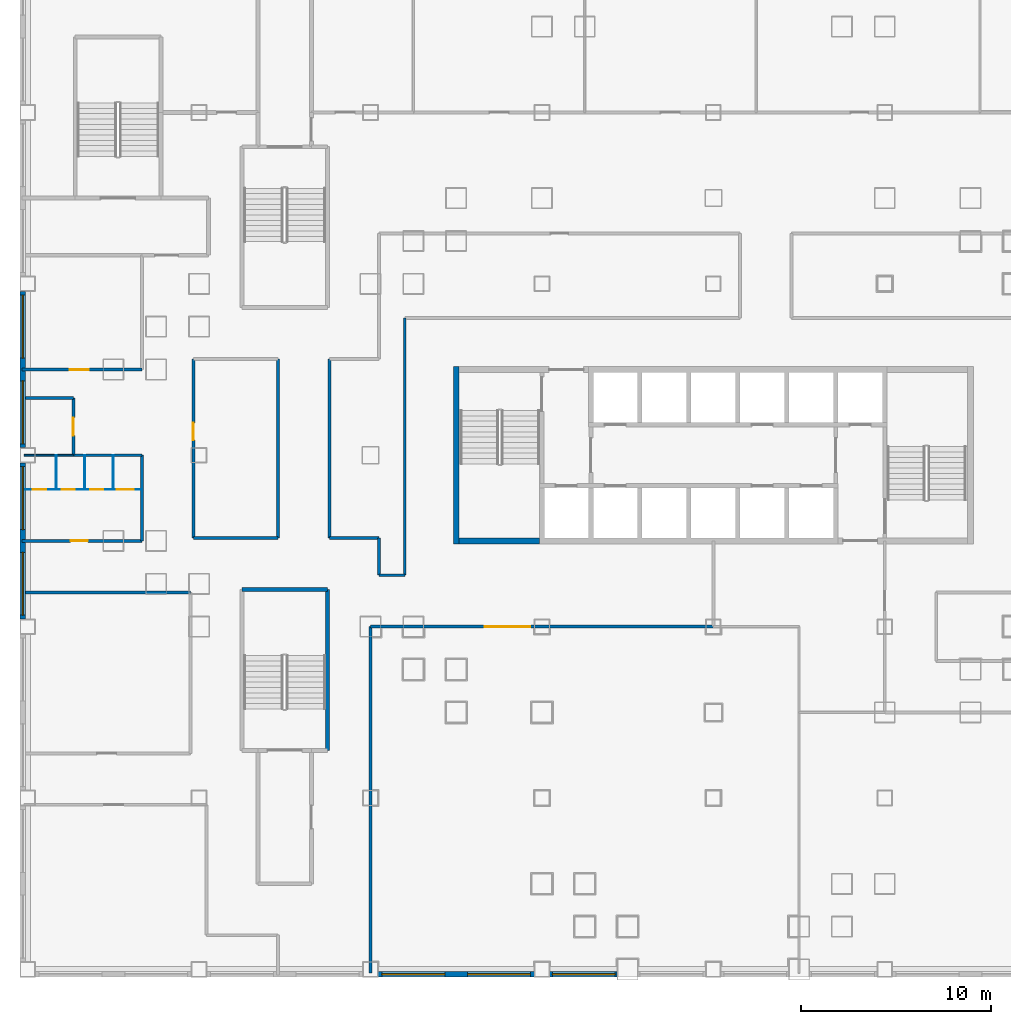
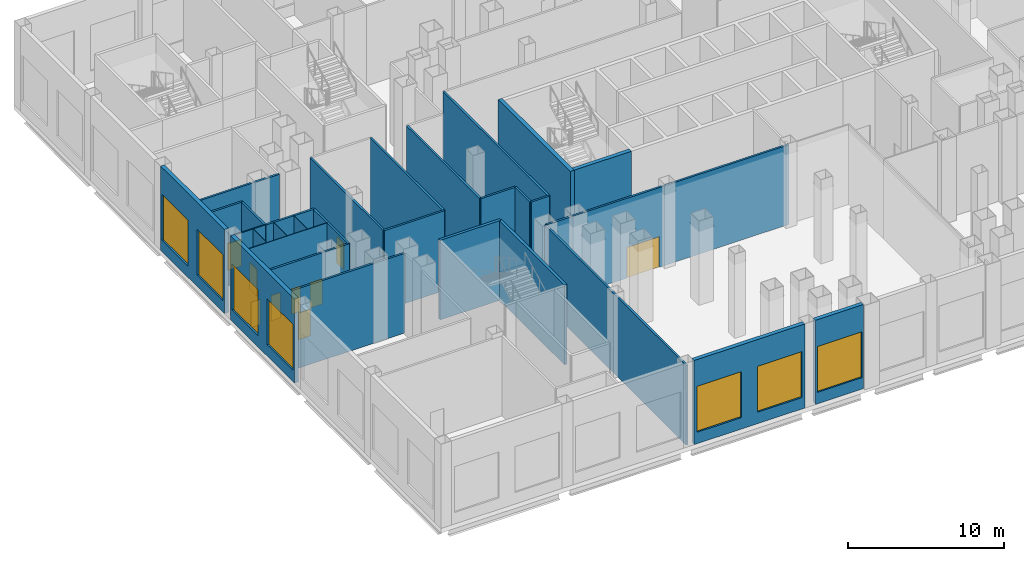
# One storey, part 3 of 26: 30 walls, 9 doors, 7 windows, 16 openings.
"""IFC4 building model written with IfcOpenShell, lengths in metres."""

from ifc_helpers import new_model, si_unit, direction, frame, frame_2d, origin, place, context, subcontext, project, spatial, rectangle, extrude, material, layer, layer_set, type_object, element, fill, save


model = new_model("IFC4")

# Units and contexts
model_context = context("Model", 3, precision=1e-05, world=origin(), true_north=direction((0.0, 1.0)))
body_context = subcontext(model_context, "Body", "Model", "MODEL_VIEW")
ifc_project = project(units=[si_unit("LENGTHUNIT", "METRE"), si_unit("AREAUNIT", "SQUARE_METRE"), si_unit("VOLUMEUNIT", "CUBIC_METRE"), si_unit("PLANEANGLEUNIT", "RADIAN"), si_unit("MASSUNIT", "GRAM", prefix="KILO")], contexts=[model_context])

# Site, building, storey
site_placement = place(None, origin())
site = spatial("IfcSite", under=ifc_project, at=site_placement, CompositionType="ELEMENT")
building_placement = place(site_placement, origin())
building = spatial("IfcBuilding", under=site, at=building_placement, Name="Caravel Reach Hotel and Residences", CompositionType="ELEMENT")
storey_placement = place(building_placement, frame((0.0, 0.0, 17.39990234375)))
storey = spatial("IfcBuildingStorey", under=building, at=storey_placement, Name="L03", CompositionType="ELEMENT", Elevation=17.39990234375)

# Walls
ifc_material_1 = material(Name="Concrete C60", Category="concrete")
ifc_layer_1 = layer(ifc_material_1, 0.300048828125)
ifc_layer_set_1 = layer_set([ifc_layer_1], Name="Core wall 300 mm EI 120")
wall_type_1 = type_object("IfcWallType", Name="Core wall 300 mm EI 120", PredefinedType="SHEAR", material=ifc_layer_set_1)
wall_1_placement = place(storey_placement, frame((18.14990234375, 22.5, 0.0), z_axis=(0.0, 0.0, 1.0), x_axis=(1.0, 0.0, 0.0)))
element("IfcWall", 1, at=wall_1_placement, inside=storey, type_object=wall_type_1, Name="L03 core wall S1", PredefinedType="SHEAR", context=body_context, shape_type="SweptSolid", body=[
    extrude(rectangle(XDim=4.22509765625, YDim=0.300048828125, at=frame_2d((2.112548828125, 0.0))), origin(), (0.0, 0.0, 1.0), 6.25),
])
wall_2_placement = place(storey_placement, frame((18.0, 22.35009765625, 0.0), z_axis=(0.0, 0.0, 1.0), x_axis=(0.0, 1.0, 0.0)))
element("IfcWall", 2, at=wall_2_placement, inside=storey, type_object=wall_type_1, Name="L03 core wall W", PredefinedType="SHEAR", context=body_context, shape_type="SweptSolid", body=[
    extrude(rectangle(XDim=9.2998046875, YDim=0.300048828125, at=frame_2d((4.64990234375, 0.0))), origin(), (0.0, 0.0, 1.0), 6.25),
])

# Wall, opening, door
ifc_material_2 = material(Name="Gypsum board on steel stud, fire-rated", Category="steel")
ifc_layer_2 = layer(ifc_material_2, 0.14990234375)
ifc_layer_set_2 = layer_set([ifc_layer_2], Name="Corridor wall 150 mm EI 60")
wall_type_2 = type_object("IfcWallType", Name="Corridor wall 150 mm EI 60", PredefinedType="PARTITIONING", material=ifc_layer_set_2)
wall_3_placement = place(storey_placement, frame((13.5, 18.0, 0.0), z_axis=(0.0, 0.0, 1.0), x_axis=(1.0, 0.0, 0.0)))
wall_3 = element("IfcWall", 3, at=wall_3_placement, inside=storey, type_object=wall_type_2, Name="L03 wall w005", PredefinedType="PARTITIONING", context=body_context, shape_type="SweptSolid", body=[
    extrude(rectangle(XDim=18.0, YDim=0.14990234375, at=frame_2d((9.0, 0.0))), origin(), (0.0, 0.0, 1.0), 6.25),
])
opening_1_placement = place(wall_3_placement, frame((6.0, 0.0, 0.0)))
opening_1 = element("IfcOpeningElement", 4, at=opening_1_placement, cuts=wall_3, Name="Opening D03-028", PredefinedType="OPENING", context=body_context, shape_type="SweptSolid", body=[
    extrude(rectangle(XDim=2.39990234375, YDim=2.39990234375, at=frame_2d((1.199951171875, 1.199951171875))), frame((0.0, 0.0849609375, 0.0), z_axis=(0.0, -1.0, 0.0), x_axis=(1.0, 0.0, 0.0)), (0.0, 0.0, 1.0), 0.169921875),
])
ifc_material_3 = material(Name="Steel fire door leaf", Category="steel")
door_type_1 = type_object("IfcDoorType", Name="Ballroom door pair 2400 x 2400 EI 60", OperationType="DOUBLE_DOOR_SINGLE_SWING", PredefinedType="DOOR", material=ifc_material_3)
door_1_placement = place(opening_1_placement, origin())
door_1 = element("IfcDoor", 5, at=door_1_placement, inside=storey, type_object=door_type_1, Name="door D03-028", OperationType="DOUBLE_DOOR_SINGLE_SWING", OverallHeight=2.39990234375, OverallWidth=2.39990234375, PredefinedType="DOOR", context=body_context, shape_type="SweptSolid", body=[
    extrude(rectangle(XDim=2.39990234375, YDim=2.39990234375, at=frame_2d((1.199951171875, 1.199951171875))), frame((0.0, 0.02490234375, 0.0), z_axis=(0.0, -1.0, 0.0), x_axis=(1.0, 0.0, 0.0)), (0.0, 0.0, 1.0), 0.050048828125),
])
fill(opening_1, door_1)

# Walls
wall_4_placement = place(storey_placement, frame((-4.6201171875, 19.800048828125, 0.0), z_axis=(0.0, 0.0, 1.0), x_axis=(1.0, 0.0, 0.0)))
element("IfcWall", 6, at=wall_4_placement, inside=storey, type_object=wall_type_2, Name="L03 wall w007", PredefinedType="PARTITIONING", context=body_context, shape_type="SweptSolid", body=[
    extrude(rectangle(XDim=8.670166015625, YDim=0.14990234375, at=frame_2d((4.3349609375, 0.0))), origin(), (0.0, 0.0, 1.0), 6.25),
])
wall_5_placement = place(storey_placement, frame((13.949951171875, 20.699951171875, 0.0), z_axis=(0.0, 0.0, 1.0), x_axis=(1.0, 0.0, 0.0)))
element("IfcWall", 7, at=wall_5_placement, inside=storey, type_object=wall_type_2, Name="L03 wall w009", PredefinedType="PARTITIONING", context=body_context, shape_type="SweptSolid", body=[
    extrude(rectangle(XDim=1.35009765625, YDim=0.14990234375, at=frame_2d((0.675048828125, 0.0))), origin(), (0.0, 0.0, 1.0), 6.25),
])

# Wall, opening, door
wall_6_placement = place(storey_placement, frame((-4.7900390625, 22.5, 0.0), z_axis=(0.0, 0.0, 1.0), x_axis=(1.0, 0.0, 0.0)))
wall_6 = element("IfcWall", 8, at=wall_6_placement, inside=storey, type_object=wall_type_2, Name="L03 wall w011", PredefinedType="PARTITIONING", context=body_context, shape_type="SweptSolid", body=[
    extrude(rectangle(XDim=6.2900390625, YDim=0.14990234375, at=frame_2d((3.14501953125, 0.0))), origin(), (0.0, 0.0, 1.0), 6.25),
])
opening_2_placement = place(wall_6_placement, frame((2.550048828125, 0.0, 0.0)))
opening_2 = element("IfcOpeningElement", 9, at=opening_2_placement, cuts=wall_6, Name="Opening D03-040", PredefinedType="OPENING", context=body_context, shape_type="SweptSolid", body=[
    extrude(rectangle(XDim=0.89990234375, YDim=2.10009765625, at=frame_2d((0.449951171875, 1.050048828125))), frame((0.0, 0.0849609375, 0.0), z_axis=(0.0, -1.0, 0.0), x_axis=(1.0, 0.0, 0.0)), (0.0, 0.0, 1.0), 0.169921875),
])
ifc_material_4 = material(Name="Timber and steel door leaf", Category="steel")
door_type_2 = type_object("IfcDoorType", Name="Door 900 x 2100 timber", OperationType="SINGLE_SWING_LEFT", PredefinedType="DOOR", material=ifc_material_4)
door_2_placement = place(opening_2_placement, origin())
door_2 = element("IfcDoor", 10, at=door_2_placement, inside=storey, type_object=door_type_2, Name="door D03-040", OperationType="SINGLE_SWING_RIGHT", OverallHeight=2.10009765625, OverallWidth=0.89990234375, PredefinedType="DOOR", context=body_context, shape_type="SweptSolid", body=[
    extrude(rectangle(XDim=0.89990234375, YDim=2.10009765625, at=frame_2d((0.449951171875, 1.050048828125))), frame((0.0, 0.02490234375, 0.0), z_axis=(0.0, -1.0, 0.0), x_axis=(1.0, 0.0, 0.0)), (0.0, 0.0, 1.0), 0.050048828125),
])
fill(opening_2, door_2)

# Walls
wall_7_placement = place(storey_placement, frame((11.35009765625, 22.64990234375, 0.0), z_axis=(0.0, 0.0, 1.0), x_axis=(1.0, 0.0, 0.0)))
element("IfcWall", 11, at=wall_7_placement, inside=storey, type_object=wall_type_2, Name="L03 wall w013", PredefinedType="PARTITIONING", context=body_context, shape_type="SweptSolid", body=[
    extrude(rectangle(XDim=2.599853515625, YDim=0.14990234375, at=frame_2d((1.2998046875, 0.0))), origin(), (0.0, 0.0, 1.0), 6.25),
])
wall_8_placement = place(storey_placement, frame((4.199951171875, 22.64990234375, 0.0), z_axis=(0.0, 0.0, 1.0), x_axis=(1.0, 0.0, 0.0)))
element("IfcWall", 12, at=wall_8_placement, inside=storey, type_object=wall_type_2, Name="L03 wall w014", PredefinedType="PARTITIONING", context=body_context, shape_type="SweptSolid", body=[
    extrude(rectangle(XDim=4.449951171875, YDim=0.14990234375, at=frame_2d((2.22509765625, 0.0))), origin(), (0.0, 0.0, 1.0), 6.25),
])
wall_9_placement = place(storey_placement, frame((-2.10009765625, 27.0, 0.0), z_axis=(0.0, 0.0, 1.0), x_axis=(1.0, 0.0, 0.0)))
element("IfcWall", 13, at=wall_9_placement, inside=storey, type_object=wall_type_2, Name="L03 wall w015", PredefinedType="PARTITIONING", context=body_context, shape_type="SweptSolid", body=[
    extrude(rectangle(XDim=3.60009765625, YDim=0.14990234375, at=frame_2d((1.800048828125, 0.0))), origin(), (0.0, 0.0, 1.0), 6.25),
])
wall_10_placement = place(storey_placement, frame((-4.6201171875, 30.0, 0.0), z_axis=(0.0, 0.0, 1.0), x_axis=(1.0, 0.0, 0.0)))
element("IfcWall", 14, at=wall_10_placement, inside=storey, type_object=wall_type_2, Name="L03 wall w016", PredefinedType="PARTITIONING", context=body_context, shape_type="SweptSolid", body=[
    extrude(rectangle(XDim=2.52001953125, YDim=0.14990234375, at=frame_2d((1.260009765625, 0.0))), origin(), (0.0, 0.0, 1.0), 6.25),
])

# Wall, opening, door
wall_11_placement = place(storey_placement, frame((-4.7900390625, 31.5, 0.0), z_axis=(0.0, 0.0, 1.0), x_axis=(1.0, 0.0, 0.0)))
wall_11 = element("IfcWall", 15, at=wall_11_placement, inside=storey, type_object=wall_type_2, Name="L03 wall w017", PredefinedType="PARTITIONING", context=body_context, shape_type="SweptSolid", body=[
    extrude(rectangle(XDim=6.2900390625, YDim=0.14990234375, at=frame_2d((3.14501953125, 0.0))), origin(), (0.0, 0.0, 1.0), 6.25),
])
opening_3_placement = place(wall_11_placement, frame((2.5, 0.0, 0.0)))
opening_3 = element("IfcOpeningElement", 16, at=opening_3_placement, cuts=wall_11, Name="Opening D03-042", PredefinedType="OPENING", context=body_context, shape_type="SweptSolid", body=[
    extrude(rectangle(XDim=1.0, YDim=2.10009765625, at=frame_2d((0.5, 1.050048828125))), frame((0.0, 0.0849609375, 0.0), z_axis=(0.0, -1.0, 0.0), x_axis=(1.0, 0.0, 0.0)), (0.0, 0.0, 1.0), 0.169921875),
])
ifc_material_5 = material(Name="Steel fire door leaf", Category="steel")
door_type_3 = type_object("IfcDoorType", Name="Fire door 1000 x 2100 EI 60", OperationType="SINGLE_SWING_LEFT", PredefinedType="DOOR", material=ifc_material_5)
door_3_placement = place(opening_3_placement, origin())
door_3 = element("IfcDoor", 17, at=door_3_placement, inside=storey, type_object=door_type_3, Name="door D03-042", OperationType="SINGLE_SWING_LEFT", OverallHeight=2.10009765625, OverallWidth=1.0, PredefinedType="DOOR", context=body_context, shape_type="SweptSolid", body=[
    extrude(rectangle(XDim=1.0, YDim=2.10009765625, at=frame_2d((0.5, 1.050048828125))), frame((0.0, 0.02490234375, 0.0), z_axis=(0.0, -1.0, 0.0), x_axis=(1.0, 0.0, 0.0)), (0.0, 0.0, 1.0), 0.050048828125),
])
fill(opening_3, door_3)

wall_12_placement = place(storey_placement, frame((-2.10009765625, 27.0, 0.0), z_axis=(0.0, 0.0, 1.0), x_axis=(0.0, 1.0, 0.0)))
wall_12 = element("IfcWall", 18, at=wall_12_placement, inside=storey, type_object=wall_type_2, Name="L03 wall w031", PredefinedType="PARTITIONING", context=body_context, shape_type="SweptSolid", body=[
    extrude(rectangle(XDim=3.0, YDim=0.14990234375, at=frame_2d((1.5, 0.0))), origin(), (0.0, 0.0, 1.0), 6.25),
])
opening_4_placement = place(wall_12_placement, frame((1.02490234375, 0.0, 0.0)))
opening_4 = element("IfcOpeningElement", 19, at=opening_4_placement, cuts=wall_12, Name="Opening D03-041", PredefinedType="OPENING", context=body_context, shape_type="SweptSolid", body=[
    extrude(rectangle(XDim=0.949951171875, YDim=2.10009765625, at=frame_2d((0.47509765625, 1.050048828125))), frame((0.0, 0.0849609375, 0.0), z_axis=(0.0, -1.0, 0.0), x_axis=(1.0, 0.0, 0.0)), (0.0, 0.0, 1.0), 0.169921875),
])
ifc_material_6 = material(Name="Timber and steel door leaf", Category="steel")
door_type_4 = type_object("IfcDoorType", Name="Accessible WC door 950 x 2100", OperationType="SINGLE_SWING_LEFT", PredefinedType="DOOR", material=ifc_material_6)
door_4_placement = place(opening_4_placement, origin())
door_4 = element("IfcDoor", 20, at=door_4_placement, inside=storey, type_object=door_type_4, Name="door D03-041", OperationType="SINGLE_SWING_LEFT", OverallHeight=2.10009765625, OverallWidth=0.949951171875, PredefinedType="DOOR", context=body_context, shape_type="SweptSolid", body=[
    extrude(rectangle(XDim=0.949951171875, YDim=2.10009765625, at=frame_2d((0.47509765625, 1.050048828125))), frame((0.0, 0.02490234375, 0.0), z_axis=(0.0, -1.0, 0.0), x_axis=(1.0, 0.0, 0.0)), (0.0, 0.0, 1.0), 0.050048828125),
])
fill(opening_4, door_4)

# Walls
wall_13_placement = place(storey_placement, frame((1.5, 22.5, 0.0), z_axis=(0.0, 0.0, 1.0), x_axis=(0.0, 1.0, 0.0)))
element("IfcWall", 21, at=wall_13_placement, inside=storey, type_object=wall_type_2, Name="L03 wall w032", PredefinedType="PARTITIONING", context=body_context, shape_type="SweptSolid", body=[
    extrude(rectangle(XDim=4.5, YDim=0.14990234375, at=frame_2d((2.25, 0.0))), origin(), (0.0, 0.0, 1.0), 6.25),
])
wall_14_placement = place(storey_placement, frame((11.35009765625, 22.64990234375, 0.0), z_axis=(0.0, 0.0, 1.0), x_axis=(0.0, 1.0, 0.0)))
element("IfcWall", 22, at=wall_14_placement, inside=storey, type_object=wall_type_2, Name="L03 wall w034", PredefinedType="PARTITIONING", context=body_context, shape_type="SweptSolid", body=[
    extrude(rectangle(XDim=9.400146484375, YDim=0.14990234375, at=frame_2d((4.7001953125, 0.0))), origin(), (0.0, 0.0, 1.0), 6.25),
])
wall_15_placement = place(storey_placement, frame((13.5, -0.18994140625, 0.0), z_axis=(0.0, 0.0, 1.0), x_axis=(0.0, 1.0, 0.0)))
element("IfcWall", 23, at=wall_15_placement, inside=storey, type_object=wall_type_2, Name="L03 wall w035", PredefinedType="PARTITIONING", context=body_context, shape_type="SweptSolid", body=[
    extrude(rectangle(XDim=18.18994140625, YDim=0.14990234375, at=frame_2d((9.094970703125, 0.0))), origin(), (0.0, 0.0, 1.0), 6.25),
])
wall_16_placement = place(storey_placement, frame((13.949951171875, 20.699951171875, 0.0), z_axis=(0.0, 0.0, 1.0), x_axis=(0.0, 1.0, 0.0)))
element("IfcWall", 24, at=wall_16_placement, inside=storey, type_object=wall_type_2, Name="L03 wall w036", PredefinedType="PARTITIONING", context=body_context, shape_type="SweptSolid", body=[
    extrude(rectangle(XDim=1.949951171875, YDim=0.14990234375, at=frame_2d((0.97509765625, 0.0))), origin(), (0.0, 0.0, 1.0), 6.25),
])
wall_17_placement = place(storey_placement, frame((15.300048828125, 20.699951171875, 0.0), z_axis=(0.0, 0.0, 1.0), x_axis=(0.0, 1.0, 0.0)))
element("IfcWall", 25, at=wall_17_placement, inside=storey, type_object=wall_type_2, Name="L03 wall w038", PredefinedType="PARTITIONING", context=body_context, shape_type="SweptSolid", body=[
    extrude(rectangle(XDim=13.5, YDim=0.14990234375, at=frame_2d((6.75, 0.0))), origin(), (0.0, 0.0, 1.0), 6.25),
])

# Wall, opening, door
wall_18_placement = place(storey_placement, frame((4.199951171875, 22.64990234375, 0.0), z_axis=(0.0, 0.0, 1.0), x_axis=(0.0, 1.0, 0.0)))
wall_18 = element("IfcWall", 26, at=wall_18_placement, inside=storey, type_object=wall_type_2, Name="L03 wall w043", PredefinedType="PARTITIONING", context=body_context, shape_type="SweptSolid", body=[
    extrude(rectangle(XDim=9.400146484375, YDim=0.14990234375, at=frame_2d((4.7001953125, 0.0))), origin(), (0.0, 0.0, 1.0), 6.25),
])
opening_5_placement = place(wall_18_placement, frame((5.14990234375, 0.0, 0.0)))
opening_5 = element("IfcOpeningElement", 27, at=opening_5_placement, cuts=wall_18, Name="Opening D03-049", PredefinedType="OPENING", context=body_context, shape_type="SweptSolid", body=[
    extrude(rectangle(XDim=0.89990234375, YDim=2.10009765625, at=frame_2d((0.449951171875, 1.050048828125))), frame((0.0, 0.0849609375, 0.0), z_axis=(0.0, -1.0, 0.0), x_axis=(1.0, 0.0, 0.0)), (0.0, 0.0, 1.0), 0.169921875),
])
door_5_placement = place(opening_5_placement, origin())
door_5 = element("IfcDoor", 28, at=door_5_placement, inside=storey, type_object=door_type_2, Name="door D03-049", OperationType="SINGLE_SWING_RIGHT", OverallHeight=2.10009765625, OverallWidth=0.89990234375, PredefinedType="DOOR", context=body_context, shape_type="SweptSolid", body=[
    extrude(rectangle(XDim=0.89990234375, YDim=2.10009765625, at=frame_2d((0.449951171875, 1.050048828125))), frame((0.0, 0.02490234375, 0.0), z_axis=(0.0, -1.0, 0.0), x_axis=(1.0, 0.0, 0.0)), (0.0, 0.0, 1.0), 0.050048828125),
])
fill(opening_5, door_5)

# Wall
wall_19_placement = place(storey_placement, frame((8.64990234375, 22.64990234375, 0.0), z_axis=(0.0, 0.0, 1.0), x_axis=(0.0, 1.0, 0.0)))
element("IfcWall", 29, at=wall_19_placement, inside=storey, type_object=wall_type_2, Name="L03 wall w058", PredefinedType="PARTITIONING", context=body_context, shape_type="SweptSolid", body=[
    extrude(rectangle(XDim=9.400146484375, YDim=0.14990234375, at=frame_2d((4.7001953125, 0.0))), origin(), (0.0, 0.0, 1.0), 6.25),
])

# Wall, openings, windows
ifc_material_7 = material(Name="Insulated wall, stone cladding", Category="masonry")
ifc_layer_3 = layer(ifc_material_7, 0.300048828125)
ifc_layer_set_3 = layer_set([ifc_layer_3], Name="EW2 Podium stone-clad wall")
wall_type_3 = type_object("IfcWallType", Name="EW2 Podium stone-clad wall", PredefinedType="SOLIDWALL", material=ifc_layer_set_3)
wall_20_placement = place(storey_placement, frame((-4.75, 35.60009765625, 0.0), z_axis=(0.0, 0.0, 1.0), x_axis=(0.0, -1.0, 0.0)))
wall_20 = element("IfcWall", 30, at=wall_20_placement, inside=storey, type_object=wall_type_3, Name="External wall L03 W3.3", PredefinedType="SOLIDWALL", context=body_context, shape_type="SweptSolid", body=[
    extrude(rectangle(XDim=8.2001953125, YDim=0.300048828125, at=frame_2d((4.10009765625, 0.0))), origin(), (0.0, 0.0, 1.0), 6.60009765625),
])
opening_6_placement = place(wall_20_placement, frame((0.199951171875, 0.0, 0.89990234375)))
opening_6 = element("IfcOpeningElement", 31, at=opening_6_placement, cuts=wall_20, Name="Opening WN31", PredefinedType="OPENING", context=body_context, shape_type="SweptSolid", body=[
    extrude(rectangle(XDim=3.300048828125, YDim=3.60009765625, at=frame_2d((1.64990234375, 1.800048828125))), frame((0.0, 0.159912109375, 0.0), z_axis=(0.0, -1.0, 0.0), x_axis=(1.0, 0.0, 0.0)), (0.0, 0.0, 1.0), 0.320068359375),
])
opening_7_placement = place(wall_20_placement, frame((4.699951171875, 0.0, 0.89990234375)))
opening_7 = element("IfcOpeningElement", 32, at=opening_7_placement, cuts=wall_20, Name="Opening WN31", PredefinedType="OPENING", context=body_context, shape_type="SweptSolid", body=[
    extrude(rectangle(XDim=3.300048828125, YDim=3.60009765625, at=frame_2d((1.64990234375, 1.800048828125))), frame((0.0, 0.159912109375, 0.0), z_axis=(0.0, -1.0, 0.0), x_axis=(1.0, 0.0, 0.0)), (0.0, 0.0, 1.0), 0.320068359375),
])
ifc_material_8 = material(Name="Dark low-e glazing in black aluminium frame", Category="aluminium")
window_type = type_object("IfcWindowType", Name="Podium window 3300 x 3600", PartitioningType="SINGLE_PANEL", PredefinedType="WINDOW", material=ifc_material_8)
window_1_placement = place(opening_6_placement, origin())
window_1 = element("IfcWindow", 33, at=window_1_placement, inside=storey, type_object=window_type, Name="Window L03 W3.3.1", OverallHeight=3.60009765625, OverallWidth=3.300048828125, PartitioningType="SINGLE_PANEL", PredefinedType="WINDOW", context=body_context, shape_type="SweptSolid", body=[
    extrude(rectangle(XDim=3.300048828125, YDim=3.60009765625, at=frame_2d((1.64990234375, 1.800048828125))), frame((0.0, 0.030029296875, 0.0), z_axis=(0.0, -1.0, 0.0), x_axis=(1.0, 0.0, 0.0)), (0.0, 0.0, 1.0), 0.06005859375),
])
fill(opening_6, window_1)
window_2_placement = place(opening_7_placement, origin())
window_2 = element("IfcWindow", 34, at=window_2_placement, inside=storey, type_object=window_type, Name="Window L03 W3.3.2", OverallHeight=3.60009765625, OverallWidth=3.300048828125, PartitioningType="SINGLE_PANEL", PredefinedType="WINDOW", context=body_context, shape_type="SweptSolid", body=[
    extrude(rectangle(XDim=3.300048828125, YDim=3.60009765625, at=frame_2d((1.64990234375, 1.800048828125))), frame((0.0, 0.030029296875, 0.0), z_axis=(0.0, -1.0, 0.0), x_axis=(1.0, 0.0, 0.0)), (0.0, 0.0, 1.0), 0.06005859375),
])
fill(opening_7, window_2)

wall_21_placement = place(storey_placement, frame((-4.75, 26.60009765625, 0.0), z_axis=(0.0, 0.0, 1.0), x_axis=(0.0, -1.0, 0.0)))
wall_21 = element("IfcWall", 35, at=wall_21_placement, inside=storey, type_object=wall_type_3, Name="External wall L03 W3.4", PredefinedType="SOLIDWALL", context=body_context, shape_type="SweptSolid", body=[
    extrude(rectangle(XDim=8.2001953125, YDim=0.300048828125, at=frame_2d((4.10009765625, 0.0))), origin(), (0.0, 0.0, 1.0), 6.60009765625),
])
opening_8_placement = place(wall_21_placement, frame((0.199951171875, 0.0, 0.89990234375)))
opening_8 = element("IfcOpeningElement", 36, at=opening_8_placement, cuts=wall_21, Name="Opening WN31", PredefinedType="OPENING", context=body_context, shape_type="SweptSolid", body=[
    extrude(rectangle(XDim=3.300048828125, YDim=3.60009765625, at=frame_2d((1.64990234375, 1.800048828125))), frame((0.0, 0.159912109375, 0.0), z_axis=(0.0, -1.0, 0.0), x_axis=(1.0, 0.0, 0.0)), (0.0, 0.0, 1.0), 0.320068359375),
])
opening_9_placement = place(wall_21_placement, frame((4.699951171875, 0.0, 0.89990234375)))
opening_9 = element("IfcOpeningElement", 37, at=opening_9_placement, cuts=wall_21, Name="Opening WN31", PredefinedType="OPENING", context=body_context, shape_type="SweptSolid", body=[
    extrude(rectangle(XDim=3.300048828125, YDim=3.60009765625, at=frame_2d((1.64990234375, 1.800048828125))), frame((0.0, 0.159912109375, 0.0), z_axis=(0.0, -1.0, 0.0), x_axis=(1.0, 0.0, 0.0)), (0.0, 0.0, 1.0), 0.320068359375),
])
window_3_placement = place(opening_8_placement, origin())
window_3 = element("IfcWindow", 38, at=window_3_placement, inside=storey, type_object=window_type, Name="Window L03 W3.4.1", OverallHeight=3.60009765625, OverallWidth=3.300048828125, PartitioningType="SINGLE_PANEL", PredefinedType="WINDOW", context=body_context, shape_type="SweptSolid", body=[
    extrude(rectangle(XDim=3.300048828125, YDim=3.60009765625, at=frame_2d((1.64990234375, 1.800048828125))), frame((0.0, 0.030029296875, 0.0), z_axis=(0.0, -1.0, 0.0), x_axis=(1.0, 0.0, 0.0)), (0.0, 0.0, 1.0), 0.06005859375),
])
fill(opening_8, window_3)
window_4_placement = place(opening_9_placement, origin())
window_4 = element("IfcWindow", 39, at=window_4_placement, inside=storey, type_object=window_type, Name="Window L03 W3.4.2", OverallHeight=3.60009765625, OverallWidth=3.300048828125, PartitioningType="SINGLE_PANEL", PredefinedType="WINDOW", context=body_context, shape_type="SweptSolid", body=[
    extrude(rectangle(XDim=3.300048828125, YDim=3.60009765625, at=frame_2d((1.64990234375, 1.800048828125))), frame((0.0, 0.030029296875, 0.0), z_axis=(0.0, -1.0, 0.0), x_axis=(1.0, 0.0, 0.0)), (0.0, 0.0, 1.0), 0.06005859375),
])
fill(opening_9, window_4)

wall_22_placement = place(storey_placement, frame((13.89990234375, -0.25, 0.0), z_axis=(0.0, 0.0, 1.0), x_axis=(1.0, 0.0, 0.0)))
wall_22 = element("IfcWall", 40, at=wall_22_placement, inside=storey, type_object=wall_type_3, Name="External wall L03 S4.3", PredefinedType="SOLIDWALL", context=body_context, shape_type="SweptSolid", body=[
    extrude(rectangle(XDim=8.2001953125, YDim=0.300048828125, at=frame_2d((4.10009765625, 0.0))), origin(), (0.0, 0.0, 1.0), 6.60009765625),
])
opening_10_placement = place(wall_22_placement, frame((0.199951171875, 0.0, 0.89990234375)))
opening_10 = element("IfcOpeningElement", 41, at=opening_10_placement, cuts=wall_22, Name="Opening WN31", PredefinedType="OPENING", context=body_context, shape_type="SweptSolid", body=[
    extrude(rectangle(XDim=3.300048828125, YDim=3.60009765625, at=frame_2d((1.64990234375, 1.800048828125))), frame((0.0, 0.159912109375, 0.0), z_axis=(0.0, -1.0, 0.0), x_axis=(1.0, 0.0, 0.0)), (0.0, 0.0, 1.0), 0.320068359375),
])
opening_11_placement = place(wall_22_placement, frame((4.699951171875, 0.0, 0.89990234375)))
opening_11 = element("IfcOpeningElement", 42, at=opening_11_placement, cuts=wall_22, Name="Opening WN31", PredefinedType="OPENING", context=body_context, shape_type="SweptSolid", body=[
    extrude(rectangle(XDim=3.300048828125, YDim=3.60009765625, at=frame_2d((1.64990234375, 1.800048828125))), frame((0.0, 0.159912109375, 0.0), z_axis=(0.0, -1.0, 0.0), x_axis=(1.0, 0.0, 0.0)), (0.0, 0.0, 1.0), 0.320068359375),
])
window_5_placement = place(opening_10_placement, origin())
window_5 = element("IfcWindow", 43, at=window_5_placement, inside=storey, type_object=window_type, Name="Window L03 S4.3.1", OverallHeight=3.60009765625, OverallWidth=3.300048828125, PartitioningType="SINGLE_PANEL", PredefinedType="WINDOW", context=body_context, shape_type="SweptSolid", body=[
    extrude(rectangle(XDim=3.300048828125, YDim=3.60009765625, at=frame_2d((1.64990234375, 1.800048828125))), frame((0.0, 0.030029296875, 0.0), z_axis=(0.0, -1.0, 0.0), x_axis=(1.0, 0.0, 0.0)), (0.0, 0.0, 1.0), 0.06005859375),
])
fill(opening_10, window_5)
window_6_placement = place(opening_11_placement, origin())
window_6 = element("IfcWindow", 44, at=window_6_placement, inside=storey, type_object=window_type, Name="Window L03 S4.3.2", OverallHeight=3.60009765625, OverallWidth=3.300048828125, PartitioningType="SINGLE_PANEL", PredefinedType="WINDOW", context=body_context, shape_type="SweptSolid", body=[
    extrude(rectangle(XDim=3.300048828125, YDim=3.60009765625, at=frame_2d((1.64990234375, 1.800048828125))), frame((0.0, 0.030029296875, 0.0), z_axis=(0.0, -1.0, 0.0), x_axis=(1.0, 0.0, 0.0)), (0.0, 0.0, 1.0), 0.06005859375),
])
fill(opening_11, window_6)

# Wall, opening, window
wall_23_placement = place(storey_placement, frame((22.89990234375, -0.25, 0.0), z_axis=(0.0, 0.0, 1.0), x_axis=(1.0, 0.0, 0.0)))
wall_23 = element("IfcWall", 45, at=wall_23_placement, inside=storey, type_object=wall_type_3, Name="External wall L03 S4.4", PredefinedType="SOLIDWALL", context=body_context, shape_type="SweptSolid", body=[
    extrude(rectangle(XDim=3.550048828125, YDim=0.300048828125, at=frame_2d((1.77490234375, 0.0))), origin(), (0.0, 0.0, 1.0), 6.60009765625),
])
opening_12_placement = place(wall_23_placement, frame((0.14990234375, 0.0, 0.89990234375)))
opening_12 = element("IfcOpeningElement", 46, at=opening_12_placement, cuts=wall_23, Name="Opening WN31", PredefinedType="OPENING", context=body_context, shape_type="SweptSolid", body=[
    extrude(rectangle(XDim=3.300048828125, YDim=3.60009765625, at=frame_2d((1.64990234375, 1.800048828125))), frame((0.0, 0.159912109375, 0.0), z_axis=(0.0, -1.0, 0.0), x_axis=(1.0, 0.0, 0.0)), (0.0, 0.0, 1.0), 0.320068359375),
])
window_7_placement = place(opening_12_placement, origin())
window_7 = element("IfcWindow", 47, at=window_7_placement, inside=storey, type_object=window_type, Name="Window L03 S4.4.1", OverallHeight=3.60009765625, OverallWidth=3.300048828125, PartitioningType="SINGLE_PANEL", PredefinedType="WINDOW", context=body_context, shape_type="SweptSolid", body=[
    extrude(rectangle(XDim=3.300048828125, YDim=3.60009765625, at=frame_2d((1.64990234375, 1.800048828125))), frame((0.0, 0.030029296875, 0.0), z_axis=(0.0, -1.0, 0.0), x_axis=(1.0, 0.0, 0.0)), (0.0, 0.0, 1.0), 0.06005859375),
])
fill(opening_12, window_7)

# Walls
ifc_material_9 = material(Name="Gypsum board on steel stud", Category="steel")
ifc_layer_4 = layer(ifc_material_9, 0.10009765625)
ifc_layer_set_4 = layer_set([ifc_layer_4], Name="Partition 100 mm")
wall_type_4 = type_object("IfcWallType", Name="Partition 100 mm", PredefinedType="PARTITIONING", material=ifc_layer_set_4)
wall_24_placement = place(storey_placement, frame((-4.68994140625, 27.0, 0.0), z_axis=(0.0, 0.0, 1.0), x_axis=(1.0, 0.0, 0.0)))
element("IfcWall", 48, at=wall_24_placement, inside=storey, type_object=wall_type_4, Name="L03 wall w061", PredefinedType="PARTITIONING", context=body_context, shape_type="SweptSolid", body=[
    extrude(rectangle(XDim=2.58984375, YDim=0.10009765625, at=frame_2d((1.294921875, 0.0))), origin(), (0.0, 0.0, 1.0), 6.25),
])
ifc_material_10 = material(Name="Concrete C60", Category="concrete")
ifc_layer_5 = layer(ifc_material_10, 0.199951171875)
ifc_layer_set_5 = layer_set([ifc_layer_5], Name="Stair enclosure wall 200 mm EI 120")
wall_type_5 = type_object("IfcWallType", Name="Stair enclosure wall 200 mm EI 120", PredefinedType="SHEAR", material=ifc_layer_set_5)
wall_25_placement = place(storey_placement, frame((6.75, 19.949951171875, 0.0), z_axis=(0.0, 0.0, 1.0), x_axis=(1.0, 0.0, 0.0)))
element("IfcWall", 49, at=wall_25_placement, inside=storey, type_object=wall_type_5, Name="L03 wall w106", PredefinedType="SHEAR", context=body_context, shape_type="SweptSolid", body=[
    extrude(rectangle(XDim=4.5, YDim=0.199951171875, at=frame_2d((2.25, 0.0))), origin(), (0.0, 0.0, 1.0), 6.25),
])
wall_26_placement = place(storey_placement, frame((11.25, 11.5, 0.0), z_axis=(0.0, 0.0, 1.0), x_axis=(0.0, 1.0, 0.0)))
element("IfcWall", 50, at=wall_26_placement, inside=storey, type_object=wall_type_5, Name="L03 wall w123", PredefinedType="SHEAR", context=body_context, shape_type="SweptSolid", body=[
    extrude(rectangle(XDim=8.449951171875, YDim=0.199951171875, at=frame_2d((4.22509765625, 0.0))), origin(), (0.0, 0.0, 1.0), 6.25),
])
ifc_material_11 = material(Name="Laminate cubicle panel")
ifc_layer_6 = layer(ifc_material_11, 0.0400390625)
ifc_layer_set_6 = layer_set([ifc_layer_6], Name="WC cubicle partition 40 mm")
wall_type_6 = type_object("IfcWallType", Name="WC cubicle partition 40 mm", PredefinedType="PARTITIONING", material=ifc_layer_set_6)
for number, where, z_axis, x_axis, name in (
    (51, (-3.0, 27.0, 0.0), (0.0, 0.0, 1.0), (0.0, -1.0, 0.0), "L03 wall cbr13.d1"),
    (52, (-1.5, 27.0, 0.0), (0.0, 0.0, 1.0), (0.0, -1.0, 0.0), "L03 wall cbr13.d2"),
    (53, (0.0, 27.0, 0.0), (0.0, 0.0, 1.0), (0.0, -1.0, 0.0), "L03 wall cbr13.d3"),
):
    element("IfcWall", number, at=place(storey_placement, frame(where, z_axis=z_axis, x_axis=x_axis)), inside=storey, type_object=wall_type_6, Name=name, PredefinedType="PARTITIONING", context=body_context, shape_type="SweptSolid", body=[
        extrude(rectangle(XDim=1.800048828125, YDim=0.0400390625, at=frame_2d((0.89990234375, 0.0))), origin(), (0.0, 0.0, 1.0), 6.25),
    ])

# Wall, openings, doors
wall_27_placement = place(storey_placement, frame((-4.6201171875, 25.199951171875, 0.0), z_axis=(0.0, 0.0, 1.0), x_axis=(1.0, 0.0, 0.0)))
wall_27 = element("IfcWall", 54, at=wall_27_placement, inside=storey, type_object=wall_type_6, Name="L03 wall cbr13.f", PredefinedType="PARTITIONING", context=body_context, shape_type="SweptSolid", body=[
    extrude(rectangle(XDim=6.1201171875, YDim=0.0400390625, at=frame_2d((3.06005859375, 0.0))), origin(), (0.0, 0.0, 1.0), 6.25),
])
opening_13_placement = place(wall_27_placement, frame((0.39990234375, 0.0, 0.0)))
opening_13 = element("IfcOpeningElement", 55, at=opening_13_placement, cuts=wall_27, Name="Opening D03-050", PredefinedType="OPENING", context=body_context, shape_type="SweptSolid", body=[
    extrude(rectangle(XDim=0.699951171875, YDim=2.0, at=frame_2d((0.35009765625, 1.0))), frame((0.0, 0.030029296875, 0.0), z_axis=(0.0, -1.0, 0.0), x_axis=(1.0, 0.0, 0.0)), (0.0, 0.0, 1.0), 0.06005859375),
])
opening_14_placement = place(wall_27_placement, frame((1.89990234375, 0.0, 0.0)))
opening_14 = element("IfcOpeningElement", 56, at=opening_14_placement, cuts=wall_27, Name="Opening D03-051", PredefinedType="OPENING", context=body_context, shape_type="SweptSolid", body=[
    extrude(rectangle(XDim=0.699951171875, YDim=2.0, at=frame_2d((0.35009765625, 1.0))), frame((0.0, 0.030029296875, 0.0), z_axis=(0.0, -1.0, 0.0), x_axis=(1.0, 0.0, 0.0)), (0.0, 0.0, 1.0), 0.06005859375),
])
opening_15_placement = place(wall_27_placement, frame((3.39990234375, 0.0, 0.0)))
opening_15 = element("IfcOpeningElement", 57, at=opening_15_placement, cuts=wall_27, Name="Opening D03-052", PredefinedType="OPENING", context=body_context, shape_type="SweptSolid", body=[
    extrude(rectangle(XDim=0.699951171875, YDim=2.0, at=frame_2d((0.35009765625, 1.0))), frame((0.0, 0.030029296875, 0.0), z_axis=(0.0, -1.0, 0.0), x_axis=(1.0, 0.0, 0.0)), (0.0, 0.0, 1.0), 0.06005859375),
])
opening_16_placement = place(wall_27_placement, frame((4.800048828125, 0.0, 0.0)))
opening_16 = element("IfcOpeningElement", 58, at=opening_16_placement, cuts=wall_27, Name="Opening D03-053", PredefinedType="OPENING", context=body_context, shape_type="SweptSolid", body=[
    extrude(rectangle(XDim=0.89990234375, YDim=2.0, at=frame_2d((0.449951171875, 1.0))), frame((0.0, 0.030029296875, 0.0), z_axis=(0.0, -1.0, 0.0), x_axis=(1.0, 0.0, 0.0)), (0.0, 0.0, 1.0), 0.06005859375),
])
ifc_material_12 = material(Name="Timber and steel door leaf", Category="steel")
door_type_5 = type_object("IfcDoorType", Name="Accessible cubicle door 900 x 2000", OperationType="SINGLE_SWING_LEFT", PredefinedType="DOOR", material=ifc_material_12)
door_6_placement = place(opening_16_placement, origin())
door_6 = element("IfcDoor", 59, at=door_6_placement, inside=storey, type_object=door_type_5, Name="door D03-053", OperationType="SINGLE_SWING_RIGHT", OverallHeight=2.0, OverallWidth=0.89990234375, PredefinedType="DOOR", context=body_context, shape_type="SweptSolid", body=[
    extrude(rectangle(XDim=0.89990234375, YDim=2.0, at=frame_2d((0.449951171875, 1.0))), frame((0.0, 0.019775390625, 0.0), z_axis=(0.0, -1.0, 0.0), x_axis=(1.0, 0.0, 0.0)), (0.0, 0.0, 1.0), 0.03955078125),
])
fill(opening_16, door_6)
ifc_material_13 = material(Name="Timber and steel door leaf", Category="steel")
door_type_6 = type_object("IfcDoorType", Name="WC cubicle door 700 x 2000", OperationType="SINGLE_SWING_LEFT", PredefinedType="DOOR", material=ifc_material_13)
door_7_placement = place(opening_13_placement, origin())
door_7 = element("IfcDoor", 60, at=door_7_placement, inside=storey, type_object=door_type_6, Name="door D03-050", OperationType="SINGLE_SWING_LEFT", OverallHeight=2.0, OverallWidth=0.699951171875, PredefinedType="DOOR", context=body_context, shape_type="SweptSolid", body=[
    extrude(rectangle(XDim=0.699951171875, YDim=2.0, at=frame_2d((0.35009765625, 1.0))), frame((0.0, 0.019775390625, 0.0), z_axis=(0.0, -1.0, 0.0), x_axis=(1.0, 0.0, 0.0)), (0.0, 0.0, 1.0), 0.03955078125),
])
fill(opening_13, door_7)
door_8_placement = place(opening_14_placement, origin())
door_8 = element("IfcDoor", 61, at=door_8_placement, inside=storey, type_object=door_type_6, Name="door D03-051", OperationType="SINGLE_SWING_LEFT", OverallHeight=2.0, OverallWidth=0.699951171875, PredefinedType="DOOR", context=body_context, shape_type="SweptSolid", body=[
    extrude(rectangle(XDim=0.699951171875, YDim=2.0, at=frame_2d((0.35009765625, 1.0))), frame((0.0, 0.019775390625, 0.0), z_axis=(0.0, -1.0, 0.0), x_axis=(1.0, 0.0, 0.0)), (0.0, 0.0, 1.0), 0.03955078125),
])
fill(opening_14, door_8)
door_9_placement = place(opening_15_placement, origin())
door_9 = element("IfcDoor", 62, at=door_9_placement, inside=storey, type_object=door_type_6, Name="door D03-052", OperationType="SINGLE_SWING_RIGHT", OverallHeight=2.0, OverallWidth=0.699951171875, PredefinedType="DOOR", context=body_context, shape_type="SweptSolid", body=[
    extrude(rectangle(XDim=0.699951171875, YDim=2.0, at=frame_2d((0.35009765625, 1.0))), frame((0.0, 0.019775390625, 0.0), z_axis=(0.0, -1.0, 0.0), x_axis=(1.0, 0.0, 0.0)), (0.0, 0.0, 1.0), 0.03955078125),
])
fill(opening_15, door_9)

save(model, "model.ifc")
